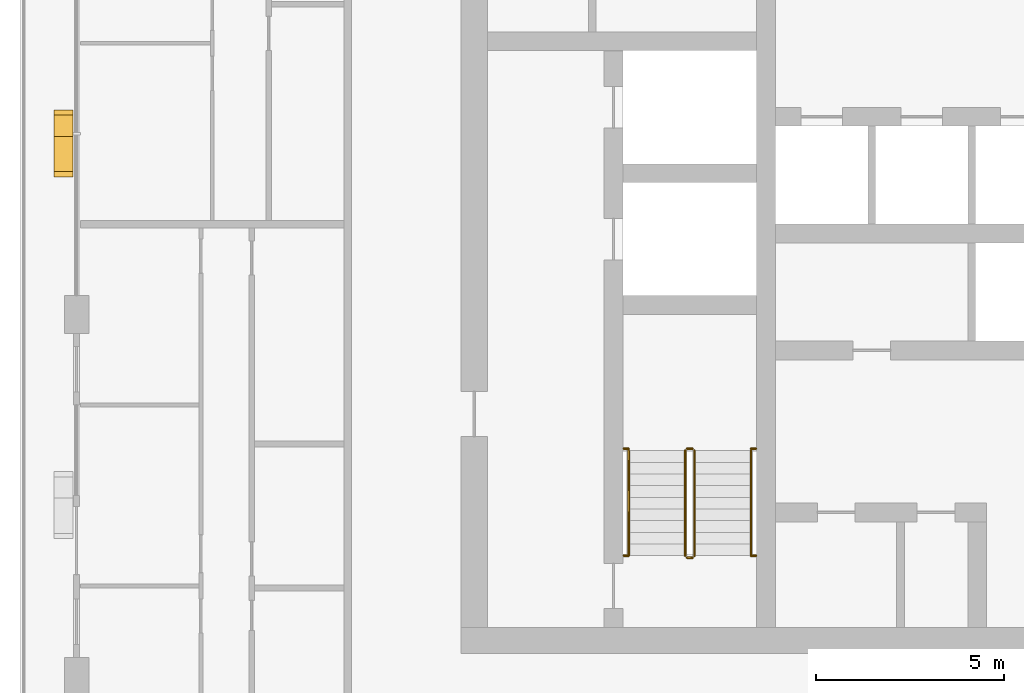
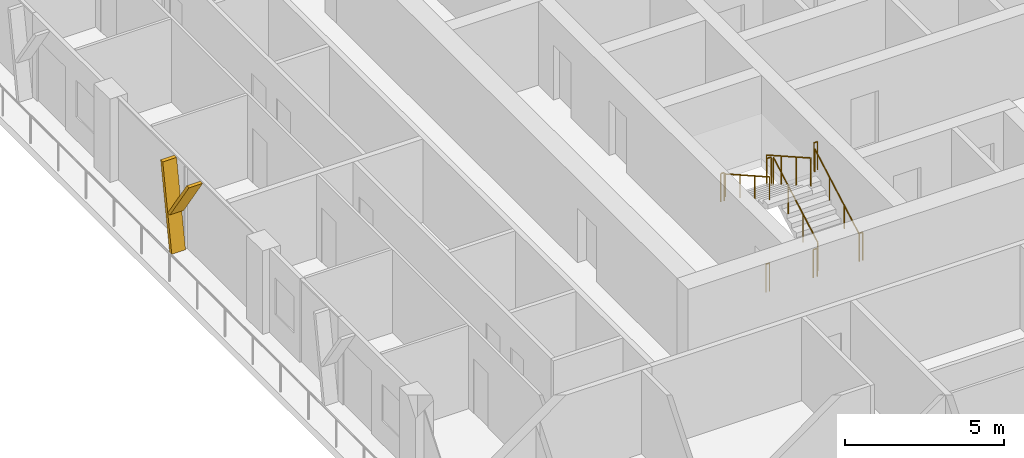
# One storey, part 18 of 22: 10 railings, 2 shading devices.
"""IFC4 building model written with IfcOpenShell, lengths in metres."""

import ifcopenshell
import ifcopenshell.guid

model = None  # the IFC model being written
_history = None  # IfcOwnerHistory: only IFC2X3 demands one
_inside = {}  # id of a spatial element -> (the spatial element, [elements in it])
_under = {}  # id of a project, library or spatial element -> (it, [spatial elements below it])
_declared = {}  # id of a project -> (the project, [libraries it declares])
_typed = {}  # id of a type object -> (the type object, [elements of that type])
_made_of = {}  # id of a material, layer set ... -> (it, [elements and type objects made of it])


def new_model(schema):
    """Start an empty IFC model of exactly this schema.

    Asked for "IFC4X3", IfcOpenShell would pick the latest addendum, in which some entities
    have other attributes; the version numbers below select the first issue.
    IFC2X3 requires an IfcOwnerHistory on every rooted entity: one is made here for all.
    """
    global model, _history
    if schema == "IFC4X3":
        model = ifcopenshell.file(schema_version=(4, 3, 0, 0))
    else:
        model = ifcopenshell.file(schema=schema)
    _inside.clear()
    _under.clear()
    _declared.clear()
    _typed.clear()
    _made_of.clear()
    _history = None
    if model.schema == "IFC2X3":
        org = make("IfcOrganization", Name="unknown")
        user = make(
            "IfcPersonAndOrganization",
            ThePerson=make("IfcPerson", FamilyName="unknown"),
            TheOrganization=org,
        )
        app = make(
            "IfcApplication",
            ApplicationDeveloper=org,
            Version="unknown",
            ApplicationFullName="unknown",
            ApplicationIdentifier="unknown",
        )
        _history = make(
            "IfcOwnerHistory",
            OwningUser=user,
            OwningApplication=app,
            ChangeAction="ADDED",
            CreationDate=0,
        )
    return model


def make(cls, **values):
    """One entity of the class cls with the attributes given. An attribute that is None is left unset."""
    return model.create_entity(
        cls, **{name: value for name, value in values.items() if value is not None}
    )


def rooted(cls, **values):
    """An entity with a GlobalId (a new one), such as an element, a storey or a relation."""
    return make(cls, GlobalId=ifcopenshell.guid.new(), OwnerHistory=_history, **values)


def si_unit(unit_type, name, prefix=None):
    """IfcSIUnit, for example si_unit("LENGTHUNIT", "METRE", prefix="MILLI")."""
    return make("IfcSIUnit", UnitType=unit_type, Prefix=prefix, Name=name)


def assignment(units):
    """IfcUnitAssignment: the units of a project."""
    return None if units is None else make("IfcUnitAssignment", Units=units)


def point(xyz):
    """IfcCartesianPoint."""
    return None if xyz is None else make("IfcCartesianPoint", Coordinates=xyz)


def direction(xyz):
    """IfcDirection."""
    return None if xyz is None else make("IfcDirection", DirectionRatios=xyz)


def frame(location, z_axis=None, x_axis=None):
    """IfcAxis2Placement3D, a coordinate frame: its origin and axes. An axis left out is left unset."""
    return make(
        "IfcAxis2Placement3D",
        Location=point(location),
        Axis=direction(z_axis),
        RefDirection=direction(x_axis),
    )


def frame_2d(location, x_axis=None):
    """IfcAxis2Placement2D, a coordinate frame in the plane: its origin and x axis."""
    return make(
        "IfcAxis2Placement2D", Location=point(location), RefDirection=direction(x_axis)
    )


def origin():
    """The frame at (0, 0, 0) with its axes left unset."""
    return frame((0.0, 0.0, 0.0))


def origin_2d():
    """The frame at (0, 0) in the plane with its x axis left unset."""
    return frame_2d((0.0, 0.0))


def place(relative_to, where):
    """IfcLocalPlacement: puts the frame where relative to a parent placement (None: the world)."""
    return make(
        "IfcLocalPlacement", PlacementRelTo=relative_to, RelativePlacement=where
    )


def context(
    kind, dimensions, precision=None, world=None, true_north=None, identifier=None
):
    """IfcGeometricRepresentationContext, for example the 3D "Model" context."""
    return make(
        "IfcGeometricRepresentationContext",
        ContextIdentifier=identifier,
        ContextType=kind,
        CoordinateSpaceDimension=dimensions,
        Precision=precision,
        WorldCoordinateSystem=world,
        TrueNorth=true_north,
    )


def subcontext(parent, identifier, kind, view, scale=None):
    """IfcGeometricRepresentationSubContext, for example "Body" below "Model"."""
    return make(
        "IfcGeometricRepresentationSubContext",
        ContextIdentifier=identifier,
        ContextType=kind,
        ParentContext=parent,
        TargetScale=scale,
        TargetView=view,
    )


def project(units=None, contexts=None):
    """IfcProject with its units and contexts."""
    return rooted(
        "IfcProject",
        Name="project",
        RepresentationContexts=contexts,
        UnitsInContext=assignment(units),
    )


def spatial(cls, under=None, at=None, **own):
    """A site, building, storey or space (cls), placed at a placement, below another one or the project."""
    s = rooted(cls, ObjectPlacement=at, **own)
    if under is not None:
        _under.setdefault(under.id(), (under, []))[1].append(s)
    return s


def polyline(points):
    """IfcPolyline through the points."""
    return make("IfcPolyline", Points=[point(p) for p in points])


def profile(cls, at=None, kind="AREA", **sizes):
    """A parametric profile (cls). Its sizes go by their IFC names, for example OverallWidth=200.0."""
    return make(cls, ProfileType=kind, Position=at, **sizes)


def circle(**sizes):
    """IfcCircleProfileDef."""
    return profile("IfcCircleProfileDef", **sizes)


def outline(outer, holes=None, kind="AREA"):
    """IfcArbitraryClosedProfileDef: a profile drawn as a closed curve; with holes, ...WithVoids."""
    if holes is None:
        return make("IfcArbitraryClosedProfileDef", ProfileType=kind, OuterCurve=outer)
    return make(
        "IfcArbitraryProfileDefWithVoids",
        ProfileType=kind,
        OuterCurve=outer,
        InnerCurves=holes,
    )


def extrude(swept, where, along, depth):
    """IfcExtrudedAreaSolid: the profile swept, set in the frame where, extruded along a direction by depth."""
    return make(
        "IfcExtrudedAreaSolid",
        SweptArea=swept,
        Position=where,
        ExtrudedDirection=direction(along),
        Depth=depth,
    )


def shape(context_of_items, identifier, shape_type, items):
    """IfcShapeRepresentation: the items that make up one representation, for example the "Body"."""
    return make(
        "IfcShapeRepresentation",
        ContextOfItems=context_of_items,
        RepresentationIdentifier=identifier,
        RepresentationType=shape_type,
        Items=items,
    )


def material(Name=None, Category=None):
    """IfcMaterial."""
    return make("IfcMaterial", Name=Name, Category=Category)


def made_of(thing, what):
    """Note that an element or type object is made of a material, layer set ...; save() writes the relation."""
    if what is not None:
        _made_of.setdefault(what.id(), (what, []))[1].append(thing)
    return thing


def type_object(cls, material=None, **own):
    """A type object (cls), such as IfcWallType, which elements share."""
    return made_of(rooted(cls, **own), material)


def element(
    cls,
    number,
    at=None,
    inside=None,
    cuts=None,
    type_object=None,
    material=None,
    context=None,
    identifier="Body",
    shape_type=None,
    held_by="IfcProductDefinitionShape",
    body=None,
    shapes=None,
    **own,
):
    """One element of the class cls, such as IfcWall. Its Tag is "e" and its number.

    at: its placement. inside: the storey or other place that contains it. cuts: it is an
    opening in that element (IfcRelVoidsElement). A single representation is given by context,
    identifier, shape_type and body (its items); several are given by shapes. held_by: the class
    of the entity that holds the representations. save() writes the other relations.
    """
    e = rooted(cls, Tag="e%d" % number, ObjectPlacement=at, **own)
    if body is not None:
        shapes = [shape(context, identifier, shape_type, body)]
    if shapes is not None:
        e.Representation = make(held_by, Representations=shapes)
    if inside is not None:
        _inside.setdefault(inside.id(), (inside, []))[1].append(e)
    if cuts is not None:
        rooted(
            "IfcRelVoidsElement", RelatingBuildingElement=cuts, RelatedOpeningElement=e
        )
    if type_object is not None:
        _typed.setdefault(type_object.id(), (type_object, []))[1].append(e)
    return made_of(e, material)


def aggregate(whole, parts):
    """IfcRelAggregates: a whole, such as a stair, and the parts it consists of."""
    return rooted("IfcRelAggregates", RelatingObject=whole, RelatedObjects=parts)


def save(model, path):
    """Write the relations noted so far, then the file.

    IfcRelAggregates (storeys below a building ...), IfcRelContainedInSpatialStructure (elements
    in a storey), IfcRelDefinesByType, IfcRelAssociatesMaterial and IfcRelDeclares: one each for
    every whole, place, type object, material and project.
    """
    for whole, parts in _under.values():
        aggregate(whole, parts)
    for where, things in _inside.values():
        rooted(
            "IfcRelContainedInSpatialStructure",
            RelatedElements=things,
            RelatingStructure=where,
        )
    for kind, things in _typed.values():
        rooted("IfcRelDefinesByType", RelatedObjects=things, RelatingType=kind)
    for what, things in _made_of.values():
        rooted("IfcRelAssociatesMaterial", RelatedObjects=things, RelatingMaterial=what)
    for by, libraries in _declared.values():
        rooted("IfcRelDeclares", RelatingContext=by, RelatedDefinitions=libraries)
    model.write(path)


model = new_model("IFC4")

# Units and contexts
model_context = context("Model", 3, precision=1e-05, world=origin(), true_north=direction((0.0, 1.0)))
body_context = subcontext(model_context, "Body", "Model", "MODEL_VIEW")
ifc_project = project(units=[si_unit("LENGTHUNIT", "METRE"), si_unit("AREAUNIT", "SQUARE_METRE"), si_unit("VOLUMEUNIT", "CUBIC_METRE"), si_unit("PLANEANGLEUNIT", "RADIAN"), si_unit("MASSUNIT", "GRAM", prefix="KILO")], contexts=[model_context])

# Site, building, storey
site_placement = place(None, origin())
site = spatial("IfcSite", under=ifc_project, at=site_placement, CompositionType="ELEMENT")
building_placement = place(site_placement, origin())
building = spatial("IfcBuilding", under=site, at=building_placement, Name="Madar Terraces", CompositionType="ELEMENT")
storey_placement = place(building_placement, frame((0.0, 0.0, 192.89990234375)))
storey = spatial("IfcBuildingStorey", under=building, at=storey_placement, Name="L50", CompositionType="ELEMENT", Elevation=192.89990234375)

# Shading devices
ifc_material_1 = material(Name="Aluminium, black anodised", Category="aluminium")
shading_device_type = type_object("IfcShadingDeviceType", Name="Facade fin blade 140 x 500", PredefinedType="USERDEFINED", material=ifc_material_1)
shading_device_1_placement = place(storey_placement, frame((4.449951171875, 28.8701171875, 0.0), z_axis=(0.0, 0.0, 1.0), x_axis=(0.0, -1.0, 0.0)))
element("IfcShadingDevice", 1, at=shading_device_1_placement, inside=storey, type_object=shading_device_type, Name="FIN L50 W2", ObjectType="FIN", PredefinedType="USERDEFINED", context=body_context, shape_type="SweptSolid", body=[
    extrude(outline(polyline([(0.0, 0.0), (0.14013671875, 0.0), (-0.42431640625, 3.2001953125), (-0.564208984375, 3.2001953125), (0.0, 0.0)])), frame((0.0, 0.25, 0.0), z_axis=(0.0, -1.0, 0.0), x_axis=(1.0, 0.0, 0.0)), (0.0, 0.0, 1.0), 0.5),
])
shading_device_2_placement = place(storey_placement, frame((4.449951171875, 28.98388671875, 1.440185546875), z_axis=(0.0, 0.0, 1.0), x_axis=(0.0, -1.0, 0.0)))
element("IfcShadingDevice", 2, at=shading_device_2_placement, inside=storey, type_object=shading_device_type, Name="FIN L50 W2 branch", ObjectType="FIN", PredefinedType="USERDEFINED", context=body_context, shape_type="SweptSolid", body=[
    extrude(outline(polyline([(0.0, 0.0), (0.139892578125, 0.0), (1.32958984375, 1.760009765625), (1.189697265625, 1.760009765625), (0.0, 0.0)])), frame((0.0, 0.25, 0.0), z_axis=(0.0, -1.0, 0.0), x_axis=(1.0, 0.0, 0.0)), (0.0, 0.0, 1.0), 0.5),
])

# Railings
ifc_material_2 = material(Name="Stainless steel railing", Category="steel")
railing_type_1 = type_object("IfcRailingType", Name="Stair guard 1100", PredefinedType="GUARDRAIL", material=ifc_material_2)
railing_1_placement = place(storey_placement, frame((21.199951171875, 17.60009765625, 0.175048828125)))
element("IfcRailing", 3, at=railing_1_placement, inside=storey, type_object=railing_type_1, Name="L50 ST1 stair guard 1", PredefinedType="GUARDRAIL", context=body_context, shape_type="SweptSolid", body=[
    extrude(circle(Radius=0.02392578125, at=origin_2d()), frame((0.0, 0.0, 1.076171875), z_axis=(0.0, 0.870815363784, 0.491610213684), x_axis=(-1.0, 0.0, 0.0)), (0.0, 0.0, 1.0), 3.20361328125),
    extrude(circle(Radius=0.02099609375, at=origin_2d()), origin(), (0.0, 0.0, 1.0), 1.052001953125),
    extrude(circle(Radius=0.02099609375, at=origin_2d()), frame((0.0, 0.929931640625, 0.52490234375)), (0.0, 0.0, 1.0), 1.052001953125),
    extrude(circle(Radius=0.02099609375, at=origin_2d()), frame((0.0, 1.85986328125, 1.050048828125)), (0.0, 0.0, 1.0), 1.052001953125),
    extrude(circle(Radius=0.02099609375, at=origin_2d()), frame((0.0, 2.789794921875, 1.574951171875)), (0.0, 0.0, 1.0), 1.052001953125),
])
railing_2_placement = place(storey_placement, frame((21.14990234375, 20.43994140625, 1.75)))
element("IfcRailing", 4, at=railing_2_placement, inside=storey, type_object=railing_type_1, Name="L50 ST1 stair guard 2", PredefinedType="GUARDRAIL", context=body_context, shape_type="SweptSolid", body=[
    extrude(circle(Radius=0.02392578125, at=origin_2d()), frame((0.0, 0.0, 1.076171875), z_axis=(-1.0, 0.0, 0.0), x_axis=(0.0, -1.0, 0.0)), (0.0, 0.0, 1.0), 0.14990234375),
    extrude(circle(Radius=0.02099609375, at=origin_2d()), origin(), (0.0, 0.0, 1.0), 1.052001953125),
    extrude(circle(Radius=0.02099609375, at=origin_2d()), frame((-0.14990234375, 0.0, 0.0)), (0.0, 0.0, 1.0), 1.052001953125),
])
railing_3_placement = place(storey_placement, frame((20.949951171875, 20.389892578125, 1.925048828125)))
element("IfcRailing", 5, at=railing_3_placement, inside=storey, type_object=railing_type_1, Name="L50 ST1 stair guard 3", PredefinedType="GUARDRAIL", context=body_context, shape_type="SweptSolid", body=[
    extrude(circle(Radius=0.02392578125, at=origin_2d()), frame((0.0, 0.0, 1.076171875), z_axis=(0.0, -0.870815363784, 0.491610213684), x_axis=(1.0, 0.0, 0.0)), (0.0, 0.0, 1.0), 3.20361328125),
    extrude(circle(Radius=0.02099609375, at=origin_2d()), origin(), (0.0, 0.0, 1.0), 1.052001953125),
    extrude(circle(Radius=0.02099609375, at=origin_2d()), frame((0.0, -0.929931640625, 0.52490234375)), (0.0, 0.0, 1.0), 1.052001953125),
    extrude(circle(Radius=0.02099609375, at=origin_2d()), frame((0.0, -1.85986328125, 1.050048828125)), (0.0, 0.0, 1.0), 1.052001953125),
    extrude(circle(Radius=0.02099609375, at=origin_2d()), frame((0.0, -2.789794921875, 1.574951171875)), (0.0, 0.0, 1.0), 1.052001953125),
])
railing_4_placement = place(storey_placement, frame((21.14990234375, 17.550048828125, 0.0)))
element("IfcRailing", 6, at=railing_4_placement, inside=storey, type_object=railing_type_1, Name="L50 ST1 stair guard 4", PredefinedType="GUARDRAIL", context=body_context, shape_type="SweptSolid", body=[
    extrude(circle(Radius=0.02392578125, at=origin_2d()), frame((0.0, 0.0, 1.076171875), z_axis=(-1.0, 0.0, 0.0), x_axis=(0.0, -1.0, 0.0)), (0.0, 0.0, 1.0), 0.14990234375),
    extrude(circle(Radius=0.02099609375, at=origin_2d()), origin(), (0.0, 0.0, 1.0), 1.052001953125),
    extrude(circle(Radius=0.02099609375, at=origin_2d()), frame((-0.14990234375, 0.0, 0.0)), (0.0, 0.0, 1.0), 1.052001953125),
])
railing_5_placement = place(storey_placement, frame((19.320068359375, 20.43994140625, 1.75)))
element("IfcRailing", 7, at=railing_5_placement, inside=storey, type_object=railing_type_1, Name="L50 stair guard seat 1", PredefinedType="GUARDRAIL", context=body_context, shape_type="SweptSolid", body=[
    extrude(circle(Radius=0.02392578125, at=origin_2d()), frame((0.0, 0.0, 1.076171875), z_axis=(1.0, 0.0, 0.0), x_axis=(0.0, 1.0, 0.0)), (0.0, 0.0, 1.0), 0.1298828125),
    extrude(circle(Radius=0.02099609375, at=origin_2d()), origin(), (0.0, 0.0, 1.0), 1.052001953125),
    extrude(circle(Radius=0.02099609375, at=origin_2d()), frame((0.1298828125, 0.0, 0.0)), (0.0, 0.0, 1.0), 1.052001953125),
])
railing_6_placement = place(storey_placement, frame((22.699951171875, 20.43994140625, 1.75)))
element("IfcRailing", 8, at=railing_6_placement, inside=storey, type_object=railing_type_1, Name="L50 stair guard seat 2", PredefinedType="GUARDRAIL", context=body_context, shape_type="SweptSolid", body=[
    extrude(circle(Radius=0.02392578125, at=origin_2d()), frame((0.0, 0.0, 1.076171875), z_axis=(1.0, 0.0, 0.0), x_axis=(0.0, 1.0, 0.0)), (0.0, 0.0, 1.0), 0.130126953125),
    extrude(circle(Radius=0.02099609375, at=origin_2d()), origin(), (0.0, 0.0, 1.0), 1.052001953125),
    extrude(circle(Radius=0.02099609375, at=origin_2d()), frame((0.130126953125, 0.0, 0.0)), (0.0, 0.0, 1.0), 1.052001953125),
])
railing_7_placement = place(storey_placement, frame((19.320068359375, 17.60009765625, 0.0)))
element("IfcRailing", 9, at=railing_7_placement, inside=storey, type_object=railing_type_1, Name="L50 stair guard floor 1", PredefinedType="GUARDRAIL", context=body_context, shape_type="SweptSolid", body=[
    extrude(circle(Radius=0.02392578125, at=origin_2d()), frame((0.0, 0.0, 1.076171875), z_axis=(1.0, 0.0, 0.0), x_axis=(0.0, 1.0, 0.0)), (0.0, 0.0, 1.0), 0.1298828125),
    extrude(circle(Radius=0.02099609375, at=origin_2d()), origin(), (0.0, 0.0, 1.0), 1.052001953125),
    extrude(circle(Radius=0.02099609375, at=origin_2d()), frame((0.1298828125, 0.0, 0.0)), (0.0, 0.0, 1.0), 1.052001953125),
])
railing_8_placement = place(storey_placement, frame((22.699951171875, 17.60009765625, 0.0)))
element("IfcRailing", 10, at=railing_8_placement, inside=storey, type_object=railing_type_1, Name="L50 stair guard floor 2", PredefinedType="GUARDRAIL", context=body_context, shape_type="SweptSolid", body=[
    extrude(circle(Radius=0.02392578125, at=origin_2d()), frame((0.0, 0.0, 1.076171875), z_axis=(1.0, 0.0, 0.0), x_axis=(0.0, 1.0, 0.0)), (0.0, 0.0, 1.0), 0.130126953125),
    extrude(circle(Radius=0.02099609375, at=origin_2d()), origin(), (0.0, 0.0, 1.0), 1.052001953125),
    extrude(circle(Radius=0.02099609375, at=origin_2d()), frame((0.130126953125, 0.0, 0.0)), (0.0, 0.0, 1.0), 1.052001953125),
])
ifc_material_3 = material(Name="Stainless steel railing", Category="steel")
railing_type_2 = type_object("IfcRailingType", Name="Stair handrail 900", PredefinedType="HANDRAIL", material=ifc_material_3)
railing_9_placement = place(storey_placement, frame((22.699951171875, 17.60009765625, 0.175048828125)))
element("IfcRailing", 11, at=railing_9_placement, inside=storey, type_object=railing_type_2, Name="L50 ST1 stair handrail 1", PredefinedType="HANDRAIL", context=body_context, shape_type="SweptSolid", body=[
    extrude(circle(Radius=0.02392578125, at=origin_2d()), frame((0.0, 0.0, 0.8759765625), z_axis=(0.0, 0.870815363784, 0.491610213684), x_axis=(-1.0, 0.0, 0.0)), (0.0, 0.0, 1.0), 3.20361328125),
    extrude(circle(Radius=0.02099609375, at=origin_2d()), origin(), (0.0, 0.0, 1.0), 0.851806640625),
    extrude(circle(Radius=0.02099609375, at=origin_2d()), frame((0.0, 0.929931640625, 0.52490234375)), (0.0, 0.0, 1.0), 0.851806640625),
    extrude(circle(Radius=0.02099609375, at=origin_2d()), frame((0.0, 1.85986328125, 1.050048828125)), (0.0, 0.0, 1.0), 0.851806640625),
    extrude(circle(Radius=0.02099609375, at=origin_2d()), frame((0.0, 2.789794921875, 1.574951171875)), (0.0, 0.0, 1.0), 0.851806640625),
])
railing_10_placement = place(storey_placement, frame((19.449951171875, 20.389892578125, 1.925048828125)))
element("IfcRailing", 12, at=railing_10_placement, inside=storey, type_object=railing_type_2, Name="L50 ST1 stair handrail 2", PredefinedType="HANDRAIL", context=body_context, shape_type="SweptSolid", body=[
    extrude(circle(Radius=0.02392578125, at=origin_2d()), frame((0.0, 0.0, 0.8759765625), z_axis=(0.0, -0.870815363784, 0.491610213684), x_axis=(1.0, 0.0, 0.0)), (0.0, 0.0, 1.0), 3.20361328125),
    extrude(circle(Radius=0.02099609375, at=origin_2d()), origin(), (0.0, 0.0, 1.0), 0.851806640625),
    extrude(circle(Radius=0.02099609375, at=origin_2d()), frame((0.0, -0.929931640625, 0.52490234375)), (0.0, 0.0, 1.0), 0.851806640625),
    extrude(circle(Radius=0.02099609375, at=origin_2d()), frame((0.0, -1.85986328125, 1.050048828125)), (0.0, 0.0, 1.0), 0.851806640625),
    extrude(circle(Radius=0.02099609375, at=origin_2d()), frame((0.0, -2.789794921875, 1.574951171875)), (0.0, 0.0, 1.0), 0.851806640625),
])

save(model, "model.ifc")
